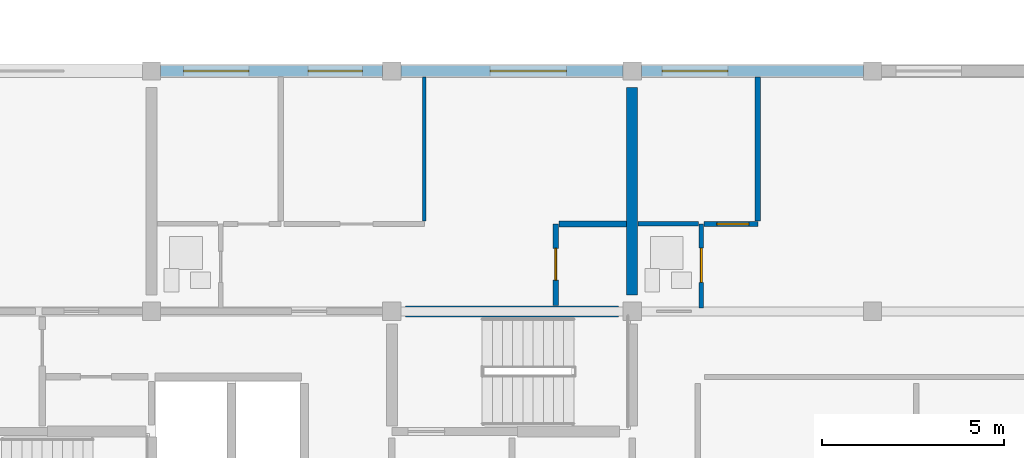
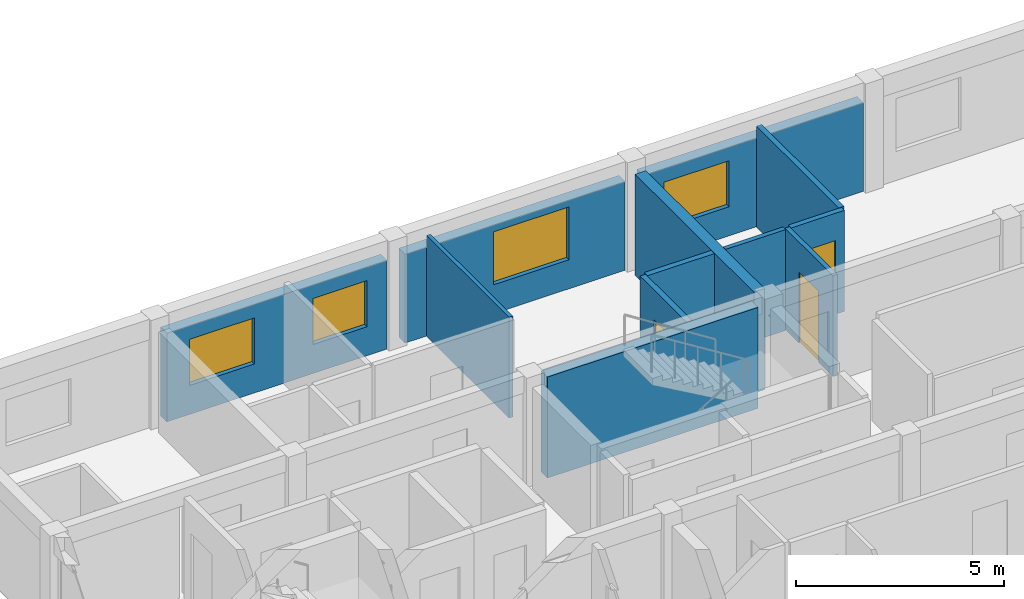
# One storey, part 36 of 45: 12 walls, 4 windows, 3 doors, 7 openings.
"""IFC4 building model written with IfcOpenShell, lengths in metres."""

from ifc_helpers import new_model, si_unit, direction, frame, frame_2d, origin, place, context, subcontext, project, spatial, rectangle, extrude, material, layer, layer_set, type_object, element, fill, save


model = new_model("IFC4")

# Units and contexts
model_context = context("Model", 3, precision=1e-05, world=origin(), true_north=direction((0.0, 1.0)))
body_context = subcontext(model_context, "Body", "Model", "MODEL_VIEW")
ifc_project = project(units=[si_unit("LENGTHUNIT", "METRE"), si_unit("AREAUNIT", "SQUARE_METRE"), si_unit("VOLUMEUNIT", "CUBIC_METRE"), si_unit("PLANEANGLEUNIT", "RADIAN"), si_unit("MASSUNIT", "GRAM", prefix="KILO")], contexts=[model_context])

# Site, building, storey
site_placement = place(None, origin())
site = spatial("IfcSite", under=ifc_project, at=site_placement, CompositionType="ELEMENT")
building_placement = place(site_placement, origin())
building = spatial("IfcBuilding", under=site, at=building_placement, Name="Kernevlak Ridge Housing Community", CompositionType="ELEMENT")
storey_placement = place(building_placement, frame((0.0, 0.0, 14.800048828125)))
storey = spatial("IfcBuildingStorey", under=building, at=storey_placement, Name="L04", CompositionType="ELEMENT", Elevation=14.800048828125)

# Wall, openings, windows
ifc_material_1 = material(Name="Concrete block masonry M10", Category="masonry")
ifc_layer_1 = layer(ifc_material_1, 0.300048828125, Name="Concrete block masonry M10")
ifc_layer_set_1 = layer_set([ifc_layer_1], Name="Concrete block masonry M10")
wall_type_1 = type_object("IfcWallType", Name="EW-01", PredefinedType="STANDARD", material=ifc_layer_set_1)
wall_1_placement = place(storey_placement, frame((126.25, 102.39990234375, 0.0), z_axis=(0.0, 0.0, 1.0), x_axis=(1.0, 0.0, 0.0)))
wall_1 = element("IfcWall", 1, at=wall_1_placement, inside=storey, type_object=wall_type_1, Name="Exterior wall EW-01 L04 361", PredefinedType="STANDARD", context=body_context, shape_type="SweptSolid", body=[
    extrude(rectangle(XDim=6.10009765625, YDim=0.300048828125, at=frame_2d((3.050048828125, 0.0))), origin(), (0.0, 0.0, 1.0), 2.599853515625),
])
opening_1_placement = place(wall_1_placement, frame((0.625, 0.0, 0.85009765625)))
opening_1 = element("IfcOpeningElement", 2, at=opening_1_placement, cuts=wall_1, Name="Opening WT-03", PredefinedType="OPENING", context=body_context, shape_type="SweptSolid", body=[
    extrude(rectangle(XDim=1.800048828125, YDim=1.35009765625, at=frame_2d((0.89990234375, 0.675048828125))), frame((0.0, 0.159912109375, 0.0), z_axis=(0.0, -1.0, 0.0), x_axis=(1.0, 0.0, 0.0)), (0.0, 0.0, 1.0), 0.320068359375),
])
opening_2_placement = place(wall_1_placement, frame((4.050048828125, 0.0, 0.85009765625)))
opening_2 = element("IfcOpeningElement", 3, at=opening_2_placement, cuts=wall_1, Name="Opening WT-02", PredefinedType="OPENING", context=body_context, shape_type="SweptSolid", body=[
    extrude(rectangle(XDim=1.5, YDim=1.35009765625, at=frame_2d((0.75, 0.675048828125))), frame((0.0, 0.159912109375, 0.0), z_axis=(0.0, -1.0, 0.0), x_axis=(1.0, 0.0, 0.0)), (0.0, 0.0, 1.0), 0.320068359375),
])
ifc_material_2 = material(Name="Aluminium EN AW-6060 anodised and laminated glass", Category="aluminium")
window_type_1 = type_object("IfcWindowType", Name="WT-02", PartitioningType="SINGLE_PANEL", PredefinedType="WINDOW", material=ifc_material_2)
window_1_placement = place(opening_2_placement, origin())
window_1 = element("IfcWindow", 4, at=window_1_placement, inside=storey, type_object=window_type_1, Name="Window WT-02 L04 279", OverallHeight=1.35009765625, OverallWidth=1.5, PartitioningType="SINGLE_PANEL", PredefinedType="WINDOW", context=body_context, shape_type="SweptSolid", body=[
    extrude(rectangle(XDim=1.5, YDim=1.35009765625, at=frame_2d((0.75, 0.675048828125))), frame((0.0, 0.030029296875, 0.0), z_axis=(0.0, -1.0, 0.0), x_axis=(1.0, 0.0, 0.0)), (0.0, 0.0, 1.0), 0.06005859375),
])
fill(opening_2, window_1)
window_type_2 = type_object("IfcWindowType", Name="WT-03", PartitioningType="SINGLE_PANEL", PredefinedType="WINDOW", material=ifc_material_2)
window_2_placement = place(opening_1_placement, origin())
window_2 = element("IfcWindow", 5, at=window_2_placement, inside=storey, type_object=window_type_2, Name="Window WT-03 L04 278", OverallHeight=1.35009765625, OverallWidth=1.800048828125, PartitioningType="SINGLE_PANEL", PredefinedType="WINDOW", context=body_context, shape_type="SweptSolid", body=[
    extrude(rectangle(XDim=1.800048828125, YDim=1.35009765625, at=frame_2d((0.89990234375, 0.675048828125))), frame((0.0, 0.030029296875, 0.0), z_axis=(0.0, -1.0, 0.0), x_axis=(1.0, 0.0, 0.0)), (0.0, 0.0, 1.0), 0.06005859375),
])
fill(opening_1, window_2)

# Wall, opening, window
wall_2_placement = place(storey_placement, frame((132.85009765625, 102.39990234375, 0.0), z_axis=(0.0, 0.0, 1.0), x_axis=(1.0, 0.0, 0.0)))
wall_2 = element("IfcWall", 6, at=wall_2_placement, inside=storey, type_object=wall_type_1, Name="Exterior wall EW-01 L04 362", PredefinedType="STANDARD", context=body_context, shape_type="SweptSolid", body=[
    extrude(rectangle(XDim=6.099853515625, YDim=0.300048828125, at=frame_2d((3.0498046875, 0.0))), origin(), (0.0, 0.0, 1.0), 2.599853515625),
])
opening_3_placement = place(wall_2_placement, frame((2.446044921875, 0.0, 0.85009765625)))
opening_3 = element("IfcOpeningElement", 7, at=opening_3_placement, cuts=wall_2, Name="Opening WT-05", PredefinedType="OPENING", context=body_context, shape_type="SweptSolid", body=[
    extrude(rectangle(XDim=2.10009765625, YDim=1.550048828125, at=frame_2d((1.050048828125, 0.77490234375))), frame((0.0, 0.159912109375, 0.0), z_axis=(0.0, -1.0, 0.0), x_axis=(1.0, 0.0, 0.0)), (0.0, 0.0, 1.0), 0.320068359375),
])
window_type_3 = type_object("IfcWindowType", Name="WT-05", PartitioningType="SINGLE_PANEL", PredefinedType="WINDOW", material=ifc_material_2)
window_3_placement = place(opening_3_placement, origin())
window_3 = element("IfcWindow", 8, at=window_3_placement, inside=storey, type_object=window_type_3, Name="Window WT-05 L04 280", OverallHeight=1.550048828125, OverallWidth=2.10009765625, PartitioningType="SINGLE_PANEL", PredefinedType="WINDOW", context=body_context, shape_type="SweptSolid", body=[
    extrude(rectangle(XDim=2.10009765625, YDim=1.550048828125, at=frame_2d((1.050048828125, 0.77490234375))), frame((0.0, 0.030029296875, 0.0), z_axis=(0.0, -1.0, 0.0), x_axis=(1.0, 0.0, 0.0)), (0.0, 0.0, 1.0), 0.06005859375),
])
fill(opening_3, window_3)

wall_3_placement = place(storey_placement, frame((139.449951171875, 102.39990234375, 0.0), z_axis=(0.0, 0.0, 1.0), x_axis=(1.0, 0.0, 0.0)))
wall_3 = element("IfcWall", 9, at=wall_3_placement, inside=storey, type_object=wall_type_1, Name="Exterior wall EW-01 L04 363", PredefinedType="STANDARD", context=body_context, shape_type="SweptSolid", body=[
    extrude(rectangle(XDim=6.10009765625, YDim=0.300048828125, at=frame_2d((3.050048828125, 0.0))), origin(), (0.0, 0.0, 1.0), 2.599853515625),
])
opening_4_placement = place(wall_3_placement, frame((0.574951171875, 0.0, 0.85009765625)))
opening_4 = element("IfcOpeningElement", 10, at=opening_4_placement, cuts=wall_3, Name="Opening WT-03", PredefinedType="OPENING", context=body_context, shape_type="SweptSolid", body=[
    extrude(rectangle(XDim=1.800048828125, YDim=1.35009765625, at=frame_2d((0.89990234375, 0.675048828125))), frame((0.0, 0.159912109375, 0.0), z_axis=(0.0, -1.0, 0.0), x_axis=(1.0, 0.0, 0.0)), (0.0, 0.0, 1.0), 0.320068359375),
])
window_4_placement = place(opening_4_placement, origin())
window_4 = element("IfcWindow", 11, at=window_4_placement, inside=storey, type_object=window_type_2, Name="Window WT-03 L04 281", OverallHeight=1.35009765625, OverallWidth=1.800048828125, PartitioningType="SINGLE_PANEL", PredefinedType="WINDOW", context=body_context, shape_type="SweptSolid", body=[
    extrude(rectangle(XDim=1.800048828125, YDim=1.35009765625, at=frame_2d((0.89990234375, 0.675048828125))), frame((0.0, 0.030029296875, 0.0), z_axis=(0.0, -1.0, 0.0), x_axis=(1.0, 0.0, 0.0)), (0.0, 0.0, 1.0), 0.06005859375),
])
fill(opening_4, window_4)

# Wall, opening, door
ifc_layer_2 = layer(ifc_material_1, 0.14501953125, Name="Concrete block masonry M10")
ifc_layer_set_2 = layer_set([ifc_layer_2], Name="Concrete block masonry M10")
wall_type_2 = type_object("IfcWallType", Name="PW-03", PredefinedType="PARTITIONING", material=ifc_layer_set_2)
wall_4_placement = place(storey_placement, frame((141.172607421875, 98.199951171875, 0.0), z_axis=(0.0, 0.0, 1.0), x_axis=(1.0, 0.0, 0.0)))
wall_4 = element("IfcWall", 12, at=wall_4_placement, inside=storey, type_object=wall_type_2, Name="Interior wall PW-03 WAL-INT-L04-1442", PredefinedType="PARTITIONING", context=body_context, shape_type="SweptSolid", body=[
    extrude(rectangle(XDim=1.477294921875, YDim=0.14501953125, at=frame_2d((0.73876953125, 0.0))), origin(), (0.0, 0.0, 1.0), 2.9599609375),
])
opening_5_placement = place(wall_4_placement, frame((0.35009765625, 0.0, 0.0)))
opening_5 = element("IfcOpeningElement", 13, at=opening_5_placement, cuts=wall_4, Name="Opening D730", PredefinedType="OPENING", context=body_context, shape_type="SweptSolid", body=[
    extrude(rectangle(XDim=0.8798828125, YDim=2.159912109375, at=frame_2d((0.43994140625, 1.080078125))), frame((0.0, 0.08251953125, 0.0), z_axis=(0.0, -1.0, 0.0), x_axis=(1.0, 0.0, 0.0)), (0.0, 0.0, 1.0), 0.1650390625),
])
ifc_material_3 = material(Name="Hardwood timber leaf", Category="wood")
door_type_1 = type_object("IfcDoorType", Name="DT-26", OperationType="NOTDEFINED", PredefinedType="DOOR", material=ifc_material_3)
door_1_placement = place(opening_5_placement, origin())
door_1 = element("IfcDoor", 14, at=door_1_placement, inside=storey, type_object=door_type_1, Name="Flat B0423 bedroom door D730", OperationType="SINGLE_SWING_RIGHT", OverallHeight=2.159912109375, OverallWidth=0.8798828125, PredefinedType="DOOR", context=body_context, shape_type="SweptSolid", body=[
    extrude(rectangle(XDim=0.8798828125, YDim=2.159912109375, at=frame_2d((0.43994140625, 1.080078125))), frame((0.0, 0.02490234375, 0.0), z_axis=(0.0, -1.0, 0.0), x_axis=(1.0, 0.0, 0.0)), (0.0, 0.0, 1.0), 0.050048828125),
])
fill(opening_5, door_1)

# Wall
wall_5_placement = place(storey_placement, frame((142.64990234375, 98.282470703125, 0.0), z_axis=(0.0, 0.0, 1.0), x_axis=(0.0, 1.0, 0.0)))
element("IfcWall", 15, at=wall_5_placement, inside=storey, type_object=wall_type_2, Name="Interior wall PW-03 WAL-INT-L04-1443", PredefinedType="PARTITIONING", context=body_context, shape_type="SweptSolid", body=[
    extrude(rectangle(XDim=3.95751953125, YDim=0.14501953125, at=frame_2d((1.978759765625, 0.0))), origin(), (0.0, 0.0, 1.0), 2.9599609375),
])

# Wall, opening, door
ifc_material_4 = material(Name="Gypsum plasterboard EN 520", Category="gypsum")
ifc_layer_3 = layer(ifc_material_4, 0.125, Name="Gypsum plasterboard EN 520")
ifc_layer_set_3 = layer_set([ifc_layer_3], Name="Gypsum plasterboard EN 520")
wall_type_3 = type_object("IfcWallType", Name="PW-04", PredefinedType="PARTITIONING", material=ifc_layer_set_3)
wall_6_placement = place(storey_placement, frame((141.10009765625, 95.8974609375, 0.0), z_axis=(0.0, 0.0, 1.0), x_axis=(0.0, 1.0, 0.0)))
wall_6 = element("IfcWall", 16, at=wall_6_placement, inside=storey, type_object=wall_type_3, Name="Interior wall PW-04 WAL-INT-L04-1438", PredefinedType="PARTITIONING", context=body_context, shape_type="SweptSolid", body=[
    extrude(rectangle(XDim=2.302490234375, YDim=0.125, at=frame_2d((1.1513671875, 0.0))), origin(), (0.0, 0.0, 1.0), 2.9599609375),
])
opening_6_placement = place(wall_6_placement, frame((0.699951171875, 0.0, 0.0)))
opening_6 = element("IfcOpeningElement", 17, at=opening_6_placement, cuts=wall_6, Name="Opening D728", PredefinedType="OPENING", context=body_context, shape_type="SweptSolid", body=[
    extrude(rectangle(XDim=0.93994140625, YDim=2.080078125, at=frame_2d((0.469970703125, 1.0400390625))), frame((0.0, 0.072509765625, 0.0), z_axis=(0.0, -1.0, 0.0), x_axis=(1.0, 0.0, 0.0)), (0.0, 0.0, 1.0), 0.14501953125),
])
ifc_material_5 = material(Name="Hardwood timber moisture-resistant leaf", Category="wood")
door_type_2 = type_object("IfcDoorType", Name="DT-23", OperationType="NOTDEFINED", PredefinedType="DOOR", material=ifc_material_5)
door_2_placement = place(opening_6_placement, origin())
door_2 = element("IfcDoor", 18, at=door_2_placement, inside=storey, type_object=door_type_2, Name="Flat B0423 bathroom door D728", OperationType="SINGLE_SWING_RIGHT", OverallHeight=2.080078125, OverallWidth=0.93994140625, PredefinedType="DOOR", context=body_context, shape_type="SweptSolid", body=[
    extrude(rectangle(XDim=0.93994140625, YDim=2.080078125, at=frame_2d((0.469970703125, 1.0400390625))), frame((0.0, 0.02490234375, 0.0), z_axis=(0.0, -1.0, 0.0), x_axis=(1.0, 0.0, 0.0)), (0.0, 0.0, 1.0), 0.050048828125),
])
fill(opening_6, door_2)

# Wall
wall_7_placement = place(storey_placement, frame((139.360107421875, 98.199951171875, 0.0), z_axis=(0.0, 0.0, 1.0), x_axis=(1.0, 0.0, 0.0)))
element("IfcWall", 19, at=wall_7_placement, inside=storey, type_object=wall_type_3, Name="Interior wall PW-04 WAL-INT-L04-1439", PredefinedType="PARTITIONING", context=body_context, shape_type="SweptSolid", body=[
    extrude(rectangle(XDim=1.659912109375, YDim=0.125, at=frame_2d((0.830078125, 0.0))), origin(), (0.0, 0.0, 1.0), 2.9599609375),
])

# Wall, opening, door
ifc_layer_4 = layer(ifc_material_4, 0.155029296875, Name="Gypsum plasterboard EN 520")
ifc_layer_set_4 = layer_set([ifc_layer_4], Name="Gypsum plasterboard EN 520")
wall_type_4 = type_object("IfcWallType", Name="PW-05", PredefinedType="PARTITIONING", material=ifc_layer_set_4)
wall_8_placement = place(storey_placement, frame((137.10009765625, 95.9599609375, 0.0), z_axis=(0.0, 0.0, 1.0), x_axis=(0.0, 1.0, 0.0)))
wall_8 = element("IfcWall", 20, at=wall_8_placement, inside=storey, type_object=wall_type_4, Name="Interior wall PW-05 WAL-INT-L04-1431", PredefinedType="PARTITIONING", context=body_context, shape_type="SweptSolid", body=[
    extrude(rectangle(XDim=2.239990234375, YDim=0.155029296875, at=frame_2d((1.1201171875, 0.0))), origin(), (0.0, 0.0, 1.0), 2.9599609375),
])
opening_7_placement = place(wall_8_placement, frame((0.699951171875, 0.0, 0.0)))
opening_7 = element("IfcOpeningElement", 21, at=opening_7_placement, cuts=wall_8, Name="Opening D724", PredefinedType="OPENING", context=body_context, shape_type="SweptSolid", body=[
    extrude(rectangle(XDim=0.8701171875, YDim=2.080078125, at=frame_2d((0.43505859375, 1.0400390625))), frame((0.0, 0.08740234375, 0.0), z_axis=(0.0, -1.0, 0.0), x_axis=(1.0, 0.0, 0.0)), (0.0, 0.0, 1.0), 0.175048828125),
])
door_type_3 = type_object("IfcDoorType", Name="DT-32", OperationType="NOTDEFINED", PredefinedType="DOOR", material=ifc_material_3)
door_3_placement = place(opening_7_placement, origin())
door_3 = element("IfcDoor", 22, at=door_3_placement, inside=storey, type_object=door_type_3, Name="Flat B0422 kitchen door D724", OperationType="SINGLE_SWING_RIGHT", OverallHeight=2.080078125, OverallWidth=0.8701171875, PredefinedType="DOOR", context=body_context, shape_type="SweptSolid", body=[
    extrude(rectangle(XDim=0.8701171875, YDim=2.080078125, at=frame_2d((0.43505859375, 1.0400390625))), frame((0.0, 0.02490234375, 0.0), z_axis=(0.0, -1.0, 0.0), x_axis=(1.0, 0.0, 0.0)), (0.0, 0.0, 1.0), 0.050048828125),
])
fill(opening_7, door_3)

# Walls
wall_9_placement = place(storey_placement, frame((137.1875, 98.199951171875, 0.0), z_axis=(0.0, 0.0, 1.0), x_axis=(1.0, 0.0, 0.0)))
element("IfcWall", 23, at=wall_9_placement, inside=storey, type_object=wall_type_4, Name="Interior wall PW-05 WAL-INT-L04-1432", PredefinedType="PARTITIONING", context=body_context, shape_type="SweptSolid", body=[
    extrude(rectangle(XDim=1.8525390625, YDim=0.155029296875, at=frame_2d((0.92626953125, 0.0))), origin(), (0.0, 0.0, 1.0), 2.9599609375),
])
ifc_layer_5 = layer(ifc_material_4, 0.10498046875, Name="Gypsum plasterboard EN 520")
ifc_layer_set_5 = layer_set([ifc_layer_5], Name="Gypsum plasterboard EN 520")
wall_type_5 = type_object("IfcWallType", Name="PW-06", PredefinedType="PARTITIONING", material=ifc_layer_set_5)
wall_10_placement = place(storey_placement, frame((133.491943359375, 98.282470703125, 0.0), z_axis=(0.0, 0.0, 1.0), x_axis=(0.0, 1.0, 0.0)))
element("IfcWall", 24, at=wall_10_placement, inside=storey, type_object=wall_type_5, Name="Interior wall PW-06 WAL-INT-L04-1436", PredefinedType="PARTITIONING", context=body_context, shape_type="SweptSolid", body=[
    extrude(rectangle(XDim=3.95751953125, YDim=0.10498046875, at=frame_2d((1.978759765625, 0.0))), origin(), (0.0, 0.0, 1.0), 2.9599609375),
])
ifc_material_6 = material(Name="Concrete C40/50", Category="concrete")
ifc_layer_6 = layer(ifc_material_6, 0.300048828125, Name="Concrete C40/50")
ifc_layer_set_6 = layer_set([ifc_layer_6], Name="Concrete C40/50")
wall_type_6 = type_object("IfcWallType", Name="SW-02", PredefinedType="SHEAR", material=ifc_layer_set_6)
wall_11_placement = place(storey_placement, frame((132.97998046875, 95.800048828125, 0.0), z_axis=(0.0, 0.0, 1.0), x_axis=(1.0, 0.0, 0.0)))
element("IfcWall", 25, at=wall_11_placement, inside=storey, type_object=wall_type_6, Name="Shear wall SW-02 Block B L04 254", PredefinedType="SHEAR", context=body_context, shape_type="SweptSolid", body=[
    extrude(rectangle(XDim=5.840087890625, YDim=0.300048828125, at=frame_2d((2.919921875, 0.0))), origin(), (0.0, 0.0, 1.0), 2.9599609375),
])
wall_12_placement = place(storey_placement, frame((139.199951171875, 96.25, 0.0), z_axis=(0.0, 0.0, 1.0), x_axis=(0.0, 1.0, 0.0)))
element("IfcWall", 26, at=wall_12_placement, inside=storey, type_object=wall_type_6, Name="Shear wall SW-02 Block B L04 260", PredefinedType="SHEAR", context=body_context, shape_type="SweptSolid", body=[
    extrude(rectangle(XDim=5.699951171875, YDim=0.300048828125, at=frame_2d((2.85009765625, 0.0))), origin(), (0.0, 0.0, 1.0), 2.9599609375),
])

save(model, "model.ifc")
